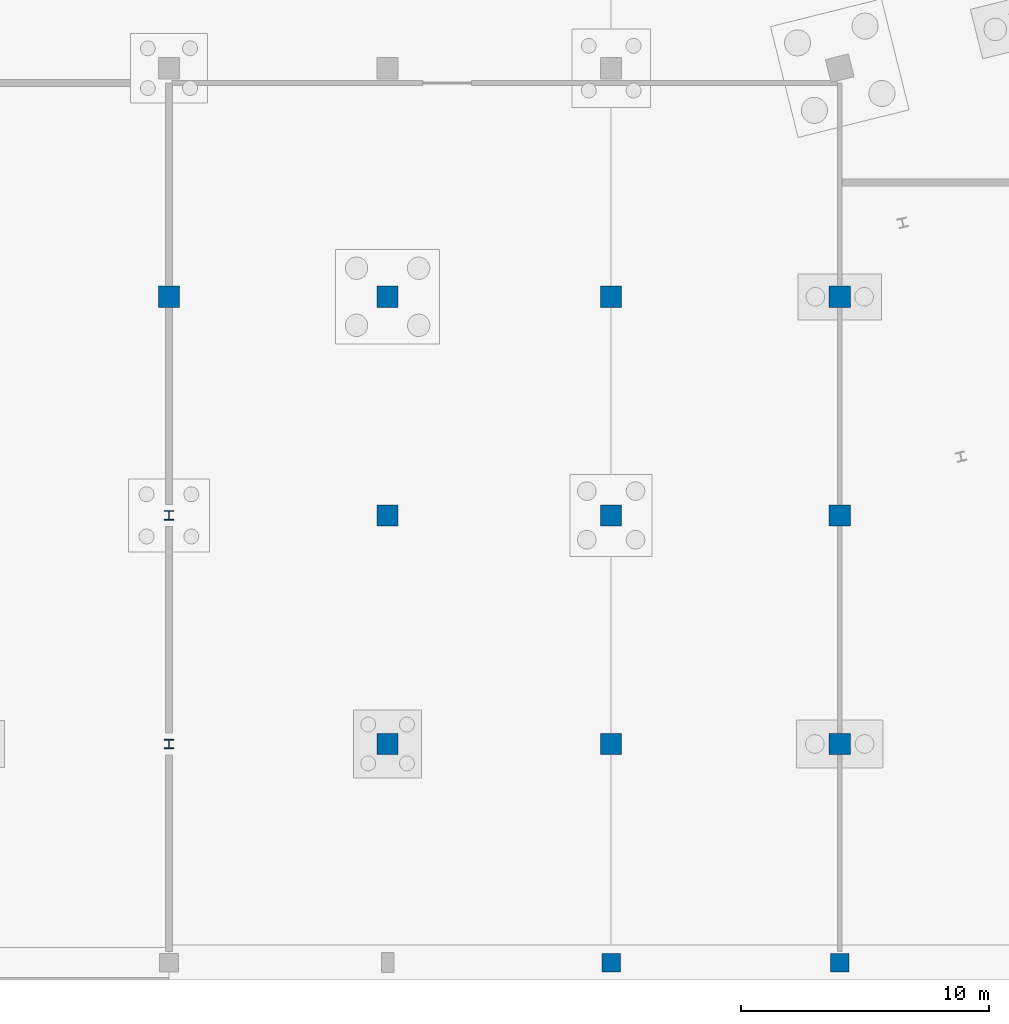
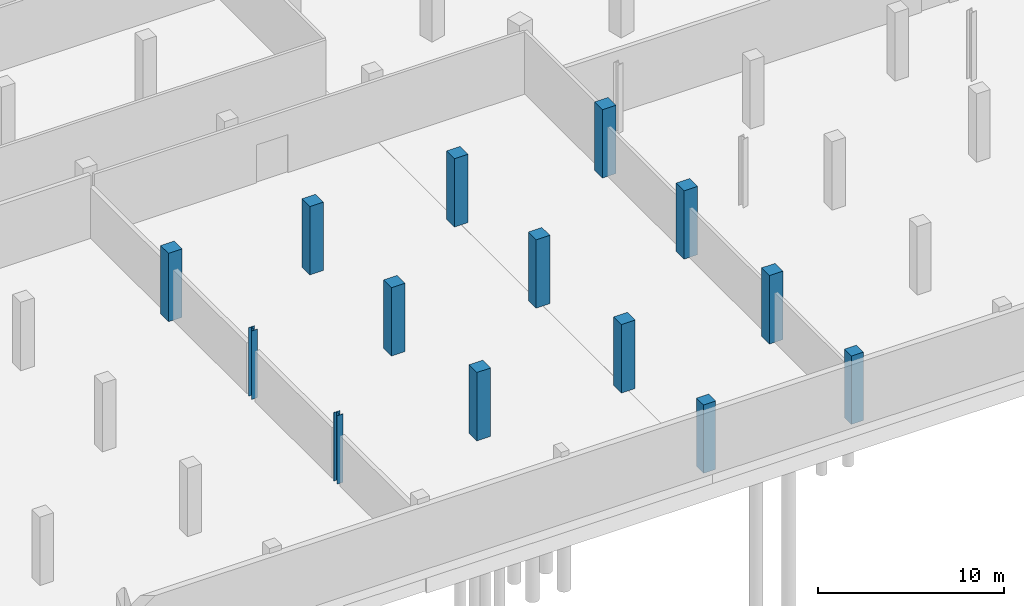
# One storey, part 7 of 29: 14 columns.
"""IFC4 building model written with IfcOpenShell, lengths in metres."""

import ifcopenshell
import ifcopenshell.guid

model = None  # the IFC model being written
_history = None  # IfcOwnerHistory: only IFC2X3 demands one
_inside = {}  # id of a spatial element -> (the spatial element, [elements in it])
_under = {}  # id of a project, library or spatial element -> (it, [spatial elements below it])
_declared = {}  # id of a project -> (the project, [libraries it declares])
_typed = {}  # id of a type object -> (the type object, [elements of that type])
_made_of = {}  # id of a material, layer set ... -> (it, [elements and type objects made of it])


def new_model(schema):
    """Start an empty IFC model of exactly this schema.

    Asked for "IFC4X3", IfcOpenShell would pick the latest addendum, in which some entities
    have other attributes; the version numbers below select the first issue.
    IFC2X3 requires an IfcOwnerHistory on every rooted entity: one is made here for all.
    """
    global model, _history
    if schema == "IFC4X3":
        model = ifcopenshell.file(schema_version=(4, 3, 0, 0))
    else:
        model = ifcopenshell.file(schema=schema)
    _inside.clear()
    _under.clear()
    _declared.clear()
    _typed.clear()
    _made_of.clear()
    _history = None
    if model.schema == "IFC2X3":
        org = make("IfcOrganization", Name="unknown")
        user = make(
            "IfcPersonAndOrganization",
            ThePerson=make("IfcPerson", FamilyName="unknown"),
            TheOrganization=org,
        )
        app = make(
            "IfcApplication",
            ApplicationDeveloper=org,
            Version="unknown",
            ApplicationFullName="unknown",
            ApplicationIdentifier="unknown",
        )
        _history = make(
            "IfcOwnerHistory",
            OwningUser=user,
            OwningApplication=app,
            ChangeAction="ADDED",
            CreationDate=0,
        )
    return model


def make(cls, **values):
    """One entity of the class cls with the attributes given. An attribute that is None is left unset."""
    return model.create_entity(
        cls, **{name: value for name, value in values.items() if value is not None}
    )


def rooted(cls, **values):
    """An entity with a GlobalId (a new one), such as an element, a storey or a relation."""
    return make(cls, GlobalId=ifcopenshell.guid.new(), OwnerHistory=_history, **values)


def si_unit(unit_type, name, prefix=None):
    """IfcSIUnit, for example si_unit("LENGTHUNIT", "METRE", prefix="MILLI")."""
    return make("IfcSIUnit", UnitType=unit_type, Prefix=prefix, Name=name)


def assignment(units):
    """IfcUnitAssignment: the units of a project."""
    return None if units is None else make("IfcUnitAssignment", Units=units)


def point(xyz):
    """IfcCartesianPoint."""
    return None if xyz is None else make("IfcCartesianPoint", Coordinates=xyz)


def direction(xyz):
    """IfcDirection."""
    return None if xyz is None else make("IfcDirection", DirectionRatios=xyz)


def frame(location, z_axis=None, x_axis=None):
    """IfcAxis2Placement3D, a coordinate frame: its origin and axes. An axis left out is left unset."""
    return make(
        "IfcAxis2Placement3D",
        Location=point(location),
        Axis=direction(z_axis),
        RefDirection=direction(x_axis),
    )


def frame_2d(location, x_axis=None):
    """IfcAxis2Placement2D, a coordinate frame in the plane: its origin and x axis."""
    return make(
        "IfcAxis2Placement2D", Location=point(location), RefDirection=direction(x_axis)
    )


def origin():
    """The frame at (0, 0, 0) with its axes left unset."""
    return frame((0.0, 0.0, 0.0))


def origin_2d():
    """The frame at (0, 0) in the plane with its x axis left unset."""
    return frame_2d((0.0, 0.0))


def place(relative_to, where):
    """IfcLocalPlacement: puts the frame where relative to a parent placement (None: the world)."""
    return make(
        "IfcLocalPlacement", PlacementRelTo=relative_to, RelativePlacement=where
    )


def context(
    kind, dimensions, precision=None, world=None, true_north=None, identifier=None
):
    """IfcGeometricRepresentationContext, for example the 3D "Model" context."""
    return make(
        "IfcGeometricRepresentationContext",
        ContextIdentifier=identifier,
        ContextType=kind,
        CoordinateSpaceDimension=dimensions,
        Precision=precision,
        WorldCoordinateSystem=world,
        TrueNorth=true_north,
    )


def subcontext(parent, identifier, kind, view, scale=None):
    """IfcGeometricRepresentationSubContext, for example "Body" below "Model"."""
    return make(
        "IfcGeometricRepresentationSubContext",
        ContextIdentifier=identifier,
        ContextType=kind,
        ParentContext=parent,
        TargetScale=scale,
        TargetView=view,
    )


def project(units=None, contexts=None):
    """IfcProject with its units and contexts."""
    return rooted(
        "IfcProject",
        Name="project",
        RepresentationContexts=contexts,
        UnitsInContext=assignment(units),
    )


def spatial(cls, under=None, at=None, **own):
    """A site, building, storey or space (cls), placed at a placement, below another one or the project."""
    s = rooted(cls, ObjectPlacement=at, **own)
    if under is not None:
        _under.setdefault(under.id(), (under, []))[1].append(s)
    return s


def profile(cls, at=None, kind="AREA", **sizes):
    """A parametric profile (cls). Its sizes go by their IFC names, for example OverallWidth=200.0."""
    return make(cls, ProfileType=kind, Position=at, **sizes)


def rectangle(**sizes):
    """IfcRectangleProfileDef."""
    return profile("IfcRectangleProfileDef", **sizes)


def i_section(**sizes):
    """IfcIShapeProfileDef."""
    return profile("IfcIShapeProfileDef", **sizes)


def extrude(swept, where, along, depth):
    """IfcExtrudedAreaSolid: the profile swept, set in the frame where, extruded along a direction by depth."""
    return make(
        "IfcExtrudedAreaSolid",
        SweptArea=swept,
        Position=where,
        ExtrudedDirection=direction(along),
        Depth=depth,
    )


def shape(context_of_items, identifier, shape_type, items):
    """IfcShapeRepresentation: the items that make up one representation, for example the "Body"."""
    return make(
        "IfcShapeRepresentation",
        ContextOfItems=context_of_items,
        RepresentationIdentifier=identifier,
        RepresentationType=shape_type,
        Items=items,
    )


def material(Name=None, Category=None):
    """IfcMaterial."""
    return make("IfcMaterial", Name=Name, Category=Category)


def material_profile(
    of_material, cross_section, Name=None, Category=None, Priority=None
):
    """IfcMaterialProfile: a cross section and its material."""
    return make(
        "IfcMaterialProfile",
        Name=Name,
        Material=of_material,
        Profile=cross_section,
        Priority=Priority,
        Category=Category,
    )


def profile_set(profiles, Name=None, composite=None):
    """IfcMaterialProfileSet."""
    return make(
        "IfcMaterialProfileSet",
        Name=Name,
        MaterialProfiles=profiles,
        CompositeProfile=composite,
    )


def made_of(thing, what):
    """Note that an element or type object is made of a material, layer set ...; save() writes the relation."""
    if what is not None:
        _made_of.setdefault(what.id(), (what, []))[1].append(thing)
    return thing


def type_object(cls, material=None, **own):
    """A type object (cls), such as IfcWallType, which elements share."""
    return made_of(rooted(cls, **own), material)


def element(
    cls,
    number,
    at=None,
    inside=None,
    cuts=None,
    type_object=None,
    material=None,
    context=None,
    identifier="Body",
    shape_type=None,
    held_by="IfcProductDefinitionShape",
    body=None,
    shapes=None,
    **own,
):
    """One element of the class cls, such as IfcWall. Its Tag is "e" and its number.

    at: its placement. inside: the storey or other place that contains it. cuts: it is an
    opening in that element (IfcRelVoidsElement). A single representation is given by context,
    identifier, shape_type and body (its items); several are given by shapes. held_by: the class
    of the entity that holds the representations. save() writes the other relations.
    """
    e = rooted(cls, Tag="e%d" % number, ObjectPlacement=at, **own)
    if body is not None:
        shapes = [shape(context, identifier, shape_type, body)]
    if shapes is not None:
        e.Representation = make(held_by, Representations=shapes)
    if inside is not None:
        _inside.setdefault(inside.id(), (inside, []))[1].append(e)
    if cuts is not None:
        rooted(
            "IfcRelVoidsElement", RelatingBuildingElement=cuts, RelatedOpeningElement=e
        )
    if type_object is not None:
        _typed.setdefault(type_object.id(), (type_object, []))[1].append(e)
    return made_of(e, material)


def aggregate(whole, parts):
    """IfcRelAggregates: a whole, such as a stair, and the parts it consists of."""
    return rooted("IfcRelAggregates", RelatingObject=whole, RelatedObjects=parts)


def save(model, path):
    """Write the relations noted so far, then the file.

    IfcRelAggregates (storeys below a building ...), IfcRelContainedInSpatialStructure (elements
    in a storey), IfcRelDefinesByType, IfcRelAssociatesMaterial and IfcRelDeclares: one each for
    every whole, place, type object, material and project.
    """
    for whole, parts in _under.values():
        aggregate(whole, parts)
    for where, things in _inside.values():
        rooted(
            "IfcRelContainedInSpatialStructure",
            RelatedElements=things,
            RelatingStructure=where,
        )
    for kind, things in _typed.values():
        rooted("IfcRelDefinesByType", RelatedObjects=things, RelatingType=kind)
    for what, things in _made_of.values():
        rooted("IfcRelAssociatesMaterial", RelatedObjects=things, RelatingMaterial=what)
    for by, libraries in _declared.values():
        rooted("IfcRelDeclares", RelatingContext=by, RelatedDefinitions=libraries)
    model.write(path)


model = new_model("IFC4")

# Units and contexts
model_context = context("Model", 3, precision=1e-05, world=origin(), true_north=direction((0.0, 1.0)))
body_context = subcontext(model_context, "Body", "Model", "MODEL_VIEW")
ifc_project = project(units=[si_unit("LENGTHUNIT", "METRE"), si_unit("AREAUNIT", "SQUARE_METRE"), si_unit("VOLUMEUNIT", "CUBIC_METRE"), si_unit("PLANEANGLEUNIT", "RADIAN"), si_unit("MASSUNIT", "GRAM", prefix="KILO")], contexts=[model_context])

# Site, building, storey
site_placement = place(None, origin())
site = spatial("IfcSite", under=ifc_project, at=site_placement, CompositionType="ELEMENT")
building_placement = place(site_placement, origin())
building = spatial("IfcBuilding", under=site, at=building_placement, Name="Meriwether Solvik Hall", CompositionType="ELEMENT")
storey_placement = place(building_placement, frame((0.0, 0.0, -9.0)))
storey = spatial("IfcBuildingStorey", under=building, at=storey_placement, Name="B02", CompositionType="ELEMENT", Elevation=-9.0)

# Columns
ifc_material_1 = material(Name="Concrete C40/50", Category="concrete")
ifc_material_profile_1 = material_profile(ifc_material_1, rectangle(XDim=0.75, YDim=0.75, at=origin_2d()), Name="RCC-750X750")
ifc_profile_set_1 = profile_set([ifc_material_profile_1], Name="Concrete C40/50")
column_type_1 = type_object("IfcColumnType", Name="COL-RC-750", PredefinedType="COLUMN", material=ifc_profile_set_1)
for number, where, z_axis, x_axis, name in (
    (1, (59.39990234375, 5.199951171875, 0.0), (0.0, 0.0, 1.0), (1.0, 0.0, 0.0), "Podium Column 7/A (B02)"),
    (2, (68.60009765625, 5.199951171875, 0.0), (0.0, 0.0, 1.0), (1.0, 0.0, 0.0), "Podium Column 8/A (B02)"),
):
    element("IfcColumn", number, at=place(storey_placement, frame(where, z_axis=z_axis, x_axis=x_axis)), inside=storey, type_object=column_type_1, Name=name, PredefinedType="COLUMN", context=body_context, shape_type="SweptSolid", body=[
        extrude(rectangle(XDim=0.75, YDim=0.75, at=origin_2d()), origin(), (0.0, 0.0, 1.0), 4.5),
    ])
ifc_material_2 = material(Name="Concrete C40/50", Category="concrete")
ifc_material_profile_2 = material_profile(ifc_material_2, rectangle(XDim=0.85009765625, YDim=0.85009765625, at=origin_2d()), Name="RCC-850X850")
ifc_profile_set_2 = profile_set([ifc_material_profile_2], Name="Concrete C40/50")
column_type_2 = type_object("IfcColumnType", Name="COL-RC-850", PredefinedType="COLUMN", material=ifc_profile_set_2)
for number, where, z_axis, x_axis, name in (
    (3, (41.60009765625, 32.0, 0.0), (0.0, 0.0, 1.0), (1.0, 0.0, 0.0), "Podium Column 5/D (B02)"),
    (4, (50.39990234375, 14.0, 0.0), (0.0, 0.0, 1.0), (1.0, 0.0, 0.0), "Podium Column 6/B (B02)"),
    (5, (50.39990234375, 23.199951171875, 0.0), (0.0, 0.0, 1.0), (1.0, 0.0, 0.0), "Podium Column 6/C (B02)"),
    (6, (50.39990234375, 32.0, 0.0), (0.0, 0.0, 1.0), (1.0, 0.0, 0.0), "Podium Column 6/D (B02)"),
    (7, (59.39990234375, 14.0, 0.0), (0.0, 0.0, 1.0), (1.0, 0.0, 0.0), "Podium Column 7/B (B02)"),
    (8, (59.39990234375, 23.199951171875, 0.0), (0.0, 0.0, 1.0), (1.0, 0.0, 0.0), "Podium Column 7/C (B02)"),
    (9, (59.39990234375, 32.0, 0.0), (0.0, 0.0, 1.0), (1.0, 0.0, 0.0), "Podium Column 7/D (B02)"),
    (10, (68.60009765625, 14.0, 0.0), (0.0, 0.0, 1.0), (1.0, 0.0, 0.0), "Podium Column 8/B (B02)"),
    (11, (68.60009765625, 23.199951171875, 0.0), (0.0, 0.0, 1.0), (1.0, 0.0, 0.0), "Podium Column 8/C (B02)"),
    (12, (68.60009765625, 32.0, 0.0), (0.0, 0.0, 1.0), (1.0, 0.0, 0.0), "Podium Column 8/D (B02)"),
):
    element("IfcColumn", number, at=place(storey_placement, frame(where, z_axis=z_axis, x_axis=x_axis)), inside=storey, type_object=column_type_2, Name=name, PredefinedType="COLUMN", context=body_context, shape_type="SweptSolid", body=[
        extrude(rectangle(XDim=0.85009765625, YDim=0.85009765625, at=origin_2d()), origin(), (0.0, 0.0, 1.0), 4.5),
    ])
ifc_material_3 = material(Name="Steel A992 Grade 50", Category="steel")
ifc_material_profile_3 = material_profile(ifc_material_3, i_section(OverallWidth=0.3740234375, OverallDepth=0.3720703125, WebThickness=0.016357421875, FlangeThickness=0.026123046875, at=origin_2d()), Name="W14X132")
ifc_profile_set_3 = profile_set([ifc_material_profile_3], Name="Steel A992 Grade 50")
column_type_3 = type_object("IfcColumnType", Name="COL-STL-W14X132", PredefinedType="COLUMN", material=ifc_profile_set_3)
for number, where, z_axis, x_axis, name in (
    (13, (41.60009765625, 14.0, 0.0), (0.0, 0.0, 1.0), (1.0, 0.0, 0.0), "Podium Column 5/B (B02)"),
    (14, (41.60009765625, 23.199951171875, 0.0), (0.0, 0.0, 1.0), (1.0, 0.0, 0.0), "Podium Column 5/C (B02)"),
):
    element("IfcColumn", number, at=place(storey_placement, frame(where, z_axis=z_axis, x_axis=x_axis)), inside=storey, type_object=column_type_3, Name=name, PredefinedType="COLUMN", context=body_context, shape_type="SweptSolid", body=[
        extrude(i_section(OverallWidth=0.3740234375, OverallDepth=0.3720703125, WebThickness=0.016357421875, FlangeThickness=0.026123046875, at=origin_2d()), origin(), (0.0, 0.0, 1.0), 4.5),
    ])

save(model, "model.ifc")
